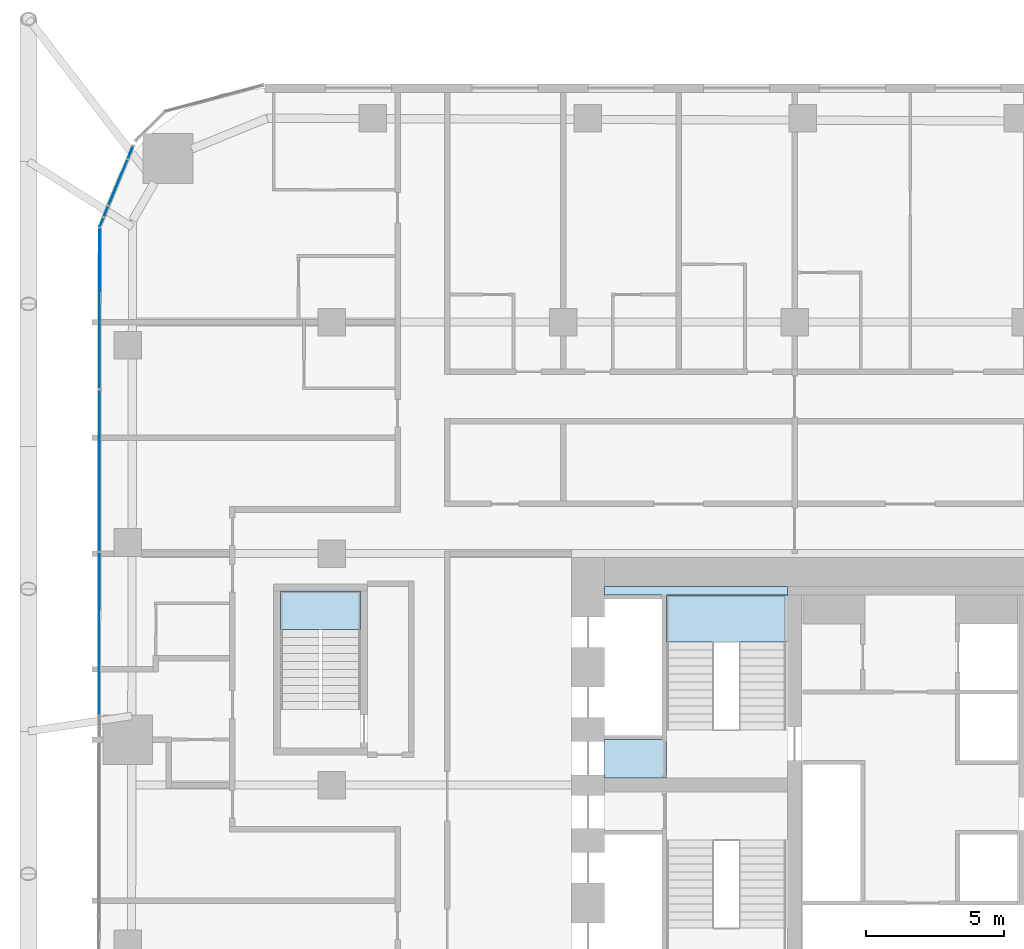
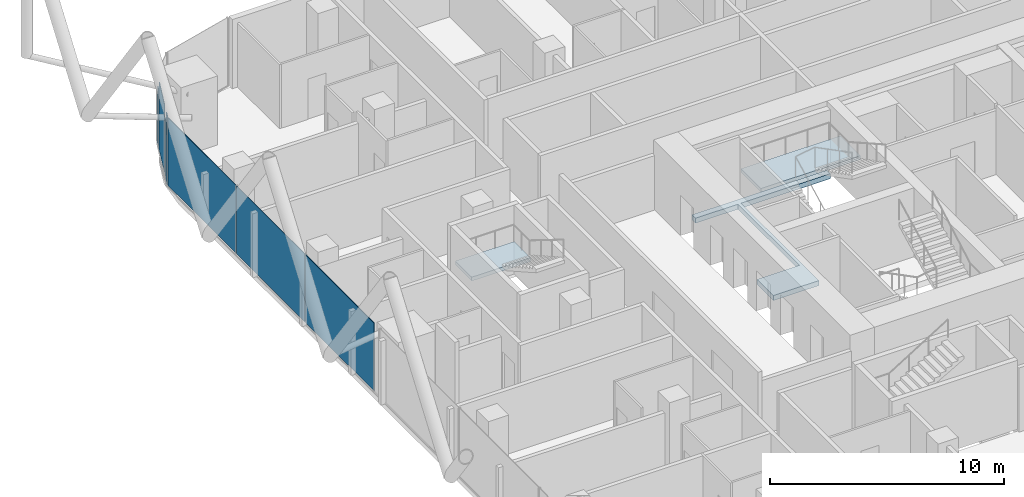
# One storey, part 25 of 38: 7 plates, 3 slabs, 7 elements without a shape of their own.
"""IFC4 building model written with IfcOpenShell, lengths in metres."""

from ifc_helpers import new_model, si_unit, direction, frame, origin, origin_2d, place, context, subcontext, project, spatial, polyline, rectangle, outline, extrude, material, layer, layer_set, type_object, element, aggregate, save


model = new_model("IFC4")

# Units and contexts
model_context = context("Model", 3, precision=1e-05, world=origin(), true_north=direction((0.0, 1.0)))
body_context = subcontext(model_context, "Body", "Model", "MODEL_VIEW")
ifc_project = project(units=[si_unit("LENGTHUNIT", "METRE"), si_unit("AREAUNIT", "SQUARE_METRE"), si_unit("VOLUMEUNIT", "CUBIC_METRE"), si_unit("PLANEANGLEUNIT", "RADIAN"), si_unit("MASSUNIT", "GRAM", prefix="KILO")], contexts=[model_context])

# Site, building, storey
site_placement = place(None, origin())
site = spatial("IfcSite", under=ifc_project, at=site_placement, CompositionType="ELEMENT")
building_placement = place(site_placement, origin())
building = spatial("IfcBuilding", under=site, at=building_placement, Name="Marenta Gate Hotel Tower", CompositionType="ELEMENT")
storey_placement = place(building_placement, frame((0.0, 0.0, 40.10009765625)))
storey = spatial("IfcBuildingStorey", under=building, at=storey_placement, Name="L07", CompositionType="ELEMENT", Elevation=40.10009765625)

# Slab
ifc_material_1 = material(Name="Concrete C40", Category="concrete")
ifc_layer_1 = layer(ifc_material_1, 0.260009765625)
ifc_layer_set_1 = layer_set([ifc_layer_1], Name="Concrete C40")
slab_type_1 = type_object("IfcSlabType", Name="Core floor slab 260", PredefinedType="FLOOR", material=ifc_layer_set_1)
slab_1_placement = place(storey_placement, frame((0.0, 0.0, -0.260009765625)))
element("IfcSlab", 1, at=slab_1_placement, inside=storey, type_object=slab_type_1, Name="L07-CF-6", PredefinedType="FLOOR", context=body_context, shape_type="SweptSolid", body=[
    extrude(outline(polyline([(-4.449951171875, 15.300048828125), (-8.85009765625, 15.300048828125), (-8.85009765625, 10.39990234375), (-8.85009765625, 8.699951171875), (-8.85009765625, 8.64990234375), (-11.10009765625, 8.64990234375), (-11.10009765625, 10.050048828125), (-9.0, 10.050048828125), (-9.0, 10.199951171875), (-9.0, 12.60009765625), (-9.0, 12.75), (-9.0, 15.14990234375), (-9.0, 15.300048828125), (-11.10009765625, 15.300048828125), (-11.10009765625, 15.60009765625), (-4.449951171875, 15.60009765625), (-4.449951171875, 15.300048828125)])), origin(), (0.0, 0.0, 1.0), 0.260009765625),
])

# Stair, slab
ifc_material_2 = material(Name="Concrete C40", Category="concrete")
stair_type_1 = type_object("IfcStairType", Name="Core exit stair 1700 wide", PredefinedType="HALF_TURN_STAIR", material=ifc_material_2)
stair_1_placement = place(storey_placement, origin())
stair_1 = element("IfcStair", 2, at=stair_1_placement, inside=storey, type_object=stair_type_1, Name="Exit stair 2", PredefinedType="HALF_TURN_STAIR")
ifc_material_3 = material(Name="Concrete C40", Category="concrete")
ifc_layer_2 = layer(ifc_material_3, 0.199951171875)
ifc_layer_set_2 = layer_set([ifc_layer_2], Name="Concrete C40")
slab_type_2 = type_object("IfcSlabType", Name="Core stair landing 200", PredefinedType="LANDING", material=ifc_layer_set_2)
slab_2_placement = place(storey_placement, frame((0.0, 0.0, 1.599853515625)))
slab_2 = element("IfcSlab", 3, at=slab_2_placement, type_object=slab_type_2, Name="SL-200 ST2 landing 1", PredefinedType="LANDING", context=body_context, shape_type="SweptSolid", body=[
    extrude(outline(polyline([(-8.85009765625, 13.590087890625), (-3.949951171875, 13.590087890625), (-3.949951171875, 15.300048828125), (-8.85009765625, 15.300048828125), (-8.85009765625, 13.590087890625)])), origin(), (0.0, 0.0, 1.0), 0.199951171875),
])
aggregate(stair_1, [slab_2])

# Curtain wall, plate
ifc_material_4 = material(Name="Tinted insulated glass in bronze anodised frame", Category="glass")
ifc_layer_3 = layer(ifc_material_4, 0.1201171875)
ifc_layer_set_3 = layer_set([ifc_layer_3], Name="Tinted insulated glass in bronze anodised frame")
curtain_wall_type = type_object("IfcCurtainWallType", Name="Tower unitised curtain wall CW1", PredefinedType="NOTDEFINED", material=ifc_layer_set_3)
curtain_wall_1_placement = place(storey_placement, origin())
curtain_wall_1 = element("IfcCurtainWall", 4, at=curtain_wall_1_placement, inside=storey, type_object=curtain_wall_type, Name="CW1 run G02", PredefinedType="NOTDEFINED")
ifc_material_5 = material(Name="Tinted insulated glass", Category="glass")
ifc_layer_4 = layer(ifc_material_5, 0.028076171875)
ifc_layer_set_4 = layer_set([ifc_layer_4], Name="Tinted insulated glass")
plate_type = type_object("IfcPlateType", Name="Glass panel CW1 28 mm tinted insulated unit", PredefinedType="CURTAIN_PANEL", material=ifc_layer_set_4)
plate_1_placement = place(storey_placement, frame((-28.29736328125, 31.35791015625, 0.06005859375), z_axis=(0.0, 0.0, 1.0), x_axis=(-0.382684306245, -0.923879170538, 0.0)))
plate_1 = element("IfcPlate", 5, at=plate_1_placement, type_object=plate_type, Name="CW1 panel 1.1", PredefinedType="CURTAIN_PANEL", context=body_context, shape_type="SweptSolid", body=[
    extrude(rectangle(XDim=0.46240234375, YDim=0.028076171875, at=origin_2d()), origin(), (0.0, 0.0, 1.0), 2.9404296875),
])
aggregate(curtain_wall_1, [plate_1])

curtain_wall_2_placement = place(storey_placement, origin())
curtain_wall_2 = element("IfcCurtainWall", 6, at=curtain_wall_2_placement, inside=storey, type_object=curtain_wall_type, Name="CW1 run G03", PredefinedType="NOTDEFINED")
plate_2_placement = place(storey_placement, frame((-28.7470703125, 30.272216796875, 0.059814453125), z_axis=(0.0, 0.0, 1.0), x_axis=(-0.382683619138, -0.923879455147, 0.0)))
plate_2 = element("IfcPlate", 7, at=plate_2_placement, type_object=plate_type, Name="CW1 panel 1.1", PredefinedType="CURTAIN_PANEL", context=body_context, shape_type="SweptSolid", body=[
    extrude(rectangle(XDim=1.767578125, YDim=0.028076171875, at=origin_2d()), origin(), (0.0, 0.0, 1.0), 3.5400390625),
])
aggregate(curtain_wall_2, [plate_2])

curtain_wall_3_placement = place(storey_placement, origin())
curtain_wall_3 = element("IfcCurtainWall", 8, at=curtain_wall_3_placement, inside=storey, type_object=curtain_wall_type, Name="CW1 run G04", PredefinedType="NOTDEFINED")
plate_3_placement = place(storey_placement, frame((-29.184814453125, 29.215576171875, 0.06005859375), z_axis=(0.0, 0.0, 1.0), x_axis=(-0.382838458625, -0.923815303293, 0.0)))
plate_3 = element("IfcPlate", 9, at=plate_3_placement, type_object=plate_type, Name="CW1 panel 1.1", PredefinedType="CURTAIN_PANEL", context=body_context, shape_type="SweptSolid", body=[
    extrude(rectangle(XDim=0.399658203125, YDim=0.028076171875, at=origin_2d()), origin(), (0.0, 0.0, 1.0), 2.9404296875),
])
aggregate(curtain_wall_3, [plate_3])

curtain_wall_4_placement = place(storey_placement, origin())
curtain_wall_4 = element("IfcCurtainWall", 10, at=curtain_wall_4_placement, inside=storey, type_object=curtain_wall_type, Name="CW1 run G05", PredefinedType="NOTDEFINED")
plate_4_placement = place(storey_placement, frame((-29.348388671875, 28.82080078125, 0.059814453125), z_axis=(0.0, 0.0, 1.0), x_axis=(-0.382456188848, -0.923973627119, 0.0)))
plate_4 = element("IfcPlate", 11, at=plate_4_placement, type_object=plate_type, Name="CW1 panel 1.1", PredefinedType="CURTAIN_PANEL", context=body_context, shape_type="SweptSolid", body=[
    extrude(rectangle(XDim=0.334716796875, YDim=0.028076171875, at=origin_2d()), origin(), (0.0, 0.0, 1.0), 3.5400390625),
])
aggregate(curtain_wall_4, [plate_4])

# Curtain wall, plates
curtain_wall_5_placement = place(storey_placement, origin())
curtain_wall_5 = element("IfcCurtainWall", 12, at=curtain_wall_5_placement, inside=storey, type_object=curtain_wall_type, Name="CW1 run G06", PredefinedType="NOTDEFINED")
plate_5_placement = place(storey_placement, frame((-29.4169921875, 25.7001953125, 0.059814453125), z_axis=(0.0, 0.0, 1.0), x_axis=(-0.001570149369, -0.999998767315, 0.0)))
plate_5 = element("IfcPlate", 13, at=plate_5_placement, type_object=plate_type, Name="CW1 panel 1.1", PredefinedType="CURTAIN_PANEL", context=body_context, shape_type="SweptSolid", body=[
    extrude(rectangle(XDim=5.811767578125, YDim=0.028076171875, at=origin_2d()), origin(), (0.0, 0.0, 1.0), 3.5400390625),
])
plate_6_placement = place(storey_placement, frame((-29.42626953125, 19.8134765625, 0.059814453125), z_axis=(0.0, 0.0, 1.0), x_axis=(-0.001570149369, -0.999998767315, 0.0)))
plate_6 = element("IfcPlate", 14, at=plate_6_placement, type_object=plate_type, Name="CW1 panel 2.1", PredefinedType="CURTAIN_PANEL", context=body_context, shape_type="SweptSolid", body=[
    extrude(rectangle(XDim=5.841796875, YDim=0.028076171875, at=origin_2d()), origin(), (0.0, 0.0, 1.0), 3.5400390625),
])
plate_7_placement = place(storey_placement, frame((-29.435546875, 13.896728515625, 0.059814453125), z_axis=(0.0, 0.0, 1.0), x_axis=(-0.001570149369, -0.999998767315, 0.0)))
plate_7 = element("IfcPlate", 15, at=plate_7_placement, type_object=plate_type, Name="CW1 panel 3.1", PredefinedType="CURTAIN_PANEL", context=body_context, shape_type="SweptSolid", body=[
    extrude(rectangle(XDim=5.871826171875, YDim=0.028076171875, at=origin_2d()), origin(), (0.0, 0.0, 1.0), 3.5400390625),
])
aggregate(curtain_wall_5, [plate_5, plate_6, plate_7])

# Stair, slab
ifc_material_6 = material(Name="Concrete C40", Category="concrete")
stair_type_2 = type_object("IfcStairType", Name="Remote exit stair 1400 wide", PredefinedType="HALF_TURN_STAIR", material=ifc_material_6)
stair_2_placement = place(storey_placement, origin())
stair_2 = element("IfcStair", 16, at=stair_2_placement, inside=storey, type_object=stair_type_2, Name="Exit stair RS-Z1-3", PredefinedType="HALF_TURN_STAIR")
ifc_material_7 = material(Name="Concrete C40", Category="concrete")
ifc_layer_5 = layer(ifc_material_7, 0.199951171875)
ifc_layer_set_5 = layer_set([ifc_layer_5], Name="Concrete C40")
slab_type_3 = type_object("IfcSlabType", Name="Remote stair landing 200", PredefinedType="LANDING", material=ifc_layer_set_5)
slab_3_placement = place(storey_placement, frame((0.0, 0.0, 1.599853515625)))
slab_3 = element("IfcSlab", 17, at=slab_3_placement, type_object=slab_type_3, Name="RL-200 RS-Z1-3 landing 1", PredefinedType="LANDING", context=body_context, shape_type="SweptSolid", body=[
    extrude(outline(polyline([(-22.85009765625, 14.050048828125), (-19.949951171875, 14.050048828125), (-19.949951171875, 15.449951171875), (-22.85009765625, 15.449951171875), (-22.85009765625, 14.050048828125)])), origin(), (0.0, 0.0, 1.0), 0.199951171875),
])
aggregate(stair_2, [slab_3])

save(model, "model.ifc")
